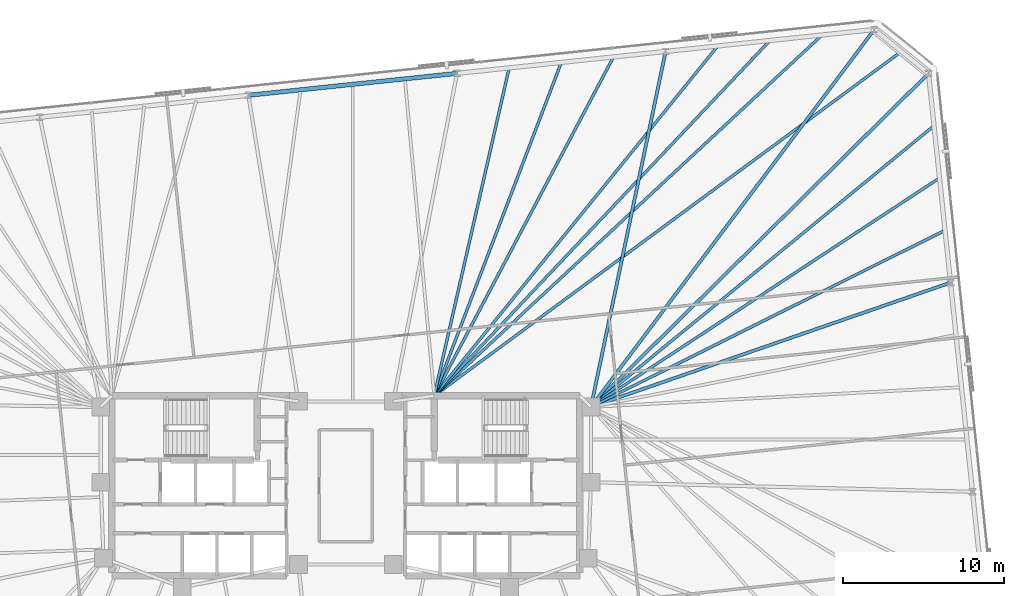
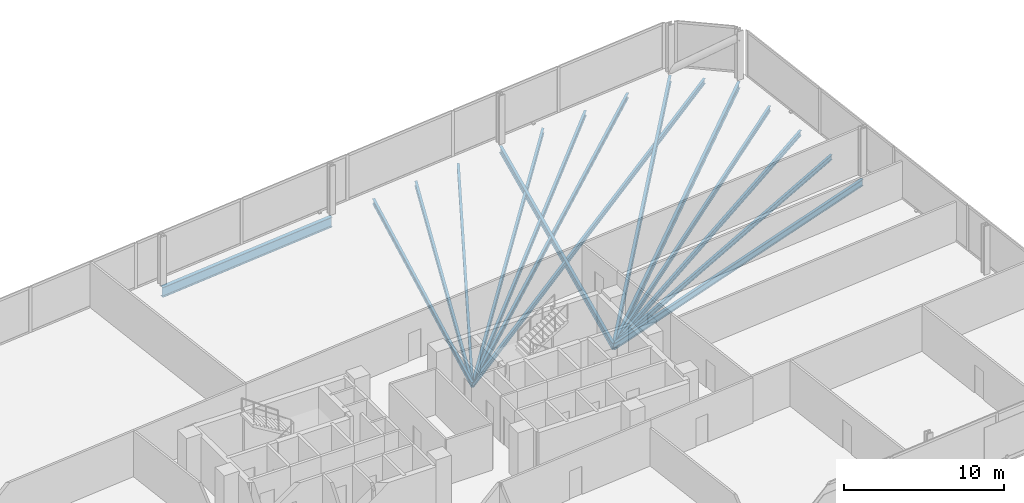
# One storey, part 10 of 18: 15 beams.
"""IFC4 building model written with IfcOpenShell, lengths in metres."""

from ifc_helpers import new_model, si_unit, direction, frame, origin, origin_2d, place, context, subcontext, project, spatial, i_section, extrude, material, material_profile, profile_set, type_object, element, save


model = new_model("IFC4")

# Units and contexts
model_context = context("Model", 3, precision=1e-05, world=origin(), true_north=direction((0.0, 1.0)))
body_context = subcontext(model_context, "Body", "Model", "MODEL_VIEW")
ifc_project = project(units=[si_unit("LENGTHUNIT", "METRE"), si_unit("AREAUNIT", "SQUARE_METRE"), si_unit("VOLUMEUNIT", "CUBIC_METRE"), si_unit("PLANEANGLEUNIT", "RADIAN"), si_unit("MASSUNIT", "GRAM", prefix="KILO")], contexts=[model_context])

# Site, building, storey
site_placement = place(None, origin())
site = spatial("IfcSite", under=ifc_project, at=site_placement, CompositionType="ELEMENT")
building_placement = place(site_placement, origin())
building = spatial("IfcBuilding", under=site, at=building_placement, Name="Menara Jurai Vektor", CompositionType="ELEMENT")
storey_placement = place(building_placement, frame((0.0, 0.0, 102.199951171875)))
storey = spatial("IfcBuildingStorey", under=building, at=storey_placement, Name="L25", CompositionType="ELEMENT", Elevation=102.199951171875)

# Beams
ifc_material_1 = material(Name="Steel S355", Category="steel")
ifc_material_profile_1 = material_profile(ifc_material_1, i_section(OverallWidth=0.199951171875, OverallDepth=0.5, WebThickness=0.011962890625, FlangeThickness=0.02001953125, at=origin_2d()), Name="PG 500x200x96")
ifc_profile_set_1 = profile_set([ifc_material_profile_1], Name="Steel S355")
beam_type_1 = type_object("IfcBeamType", Name="STR-BM-500", PredefinedType="BEAM", material=ifc_profile_set_1)
beam_1_placement = place(storey_placement, frame((37.62060546875, 12.638427734375, -0.474853515625), z_axis=(-0.945053249867, -0.326916434148, 0.0), x_axis=(0.326916434148, -0.945053249867, 0.0)))
element("IfcBeam", 1, at=beam_1_placement, inside=storey, type_object=beam_type_1, Name="Radial Floor Girder L25-E3", PredefinedType="BEAM", context=body_context, shape_type="SweptSolid", body=[
    extrude(i_section(OverallWidth=0.199951171875, OverallDepth=0.5, WebThickness=0.011962890625, FlangeThickness=0.02001953125, at=origin_2d()), origin(), (0.0, 0.0, 1.0), 23.671142578125),
])
beam_2_placement = place(storey_placement, frame((36.252685546875, 25.652099609375, -0.474853515625), z_axis=(-0.711335927547, -0.702852188004, 0.0), x_axis=(0.702852188004, -0.711335927547, 0.0)))
element("IfcBeam", 2, at=beam_2_placement, inside=storey, type_object=beam_type_1, Name="Radial Floor Girder L25-E4", PredefinedType="BEAM", context=body_context, shape_type="SweptSolid", body=[
    extrude(i_section(OverallWidth=0.199951171875, OverallDepth=0.5, WebThickness=0.011962890625, FlangeThickness=0.02001953125, at=origin_2d()), origin(), (0.0, 0.0, 1.0), 29.525634765625),
])
beam_3_placement = place(storey_placement, frame((32.876220703125, 28.38623046875, -0.474853515625), z_axis=(-0.600250057552, -0.799812395758, 0.0), x_axis=(0.799812395758, -0.600250057552, 0.0)))
element("IfcBeam", 3, at=beam_3_placement, inside=storey, type_object=beam_type_1, Name="Radial Floor Girder L25-N1", PredefinedType="BEAM", context=body_context, shape_type="SweptSolid", body=[
    extrude(i_section(OverallWidth=0.199951171875, OverallDepth=0.5, WebThickness=0.011962890625, FlangeThickness=0.02001953125, at=origin_2d()), origin(), (0.0, 0.0, 1.0), 29.36474609375),
])
beam_4_placement = place(storey_placement, frame((19.896728515625, 27.02197265625, -0.474853515625), z_axis=(-0.205563576063, -0.978643763683, 0.0), x_axis=(0.978643763683, -0.205563576063, 0.0)))
element("IfcBeam", 4, at=beam_4_placement, inside=storey, type_object=beam_type_1, Name="Radial Floor Girder L25-N2", PredefinedType="BEAM", context=body_context, shape_type="SweptSolid", body=[
    extrude(i_section(OverallWidth=0.199951171875, OverallDepth=0.5, WebThickness=0.011962890625, FlangeThickness=0.02001953125, at=origin_2d()), origin(), (0.0, 0.0, 1.0), 22.604736328125),
])
ifc_material_profile_2 = material_profile(ifc_material_1, i_section(OverallWidth=0.175048828125, OverallDepth=0.3798828125, WebThickness=0.010009765625, FlangeThickness=0.014892578125, at=origin_2d()), Name="PG 380x175x58")
ifc_profile_set_2 = profile_set([ifc_material_profile_2], Name="Steel S355")
beam_type_2 = type_object("IfcBeamType", Name="STR-JS-380", PredefinedType="JOIST", material=ifc_profile_set_2)
beam_5_placement = place(storey_placement, frame((37.278564453125, 15.891845703125, -0.4150390625), z_axis=(-0.894789854106, -0.446487532849, 0.0), x_axis=(0.446487532849, -0.894789854106, 0.0)))
element("IfcBeam", 5, at=beam_5_placement, inside=storey, type_object=beam_type_2, Name="Radial Secondary Floor Joist L25-JS16", PredefinedType="JOIST", context=body_context, shape_type="SweptSolid", body=[
    extrude(i_section(OverallWidth=0.175048828125, OverallDepth=0.3798828125, WebThickness=0.010009765625, FlangeThickness=0.014892578125, at=origin_2d()), origin(), (0.0, 0.0, 1.0), 24.61865234375),
])
beam_6_placement = place(storey_placement, frame((36.936767578125, 19.145263671875, -0.4150390625), z_axis=(-0.835810585743, -0.549017909326, 0.0), x_axis=(0.549017909326, -0.835810585743, 0.0)))
element("IfcBeam", 6, at=beam_6_placement, inside=storey, type_object=beam_type_2, Name="Radial Secondary Floor Joist L25-JS17", PredefinedType="JOIST", context=body_context, shape_type="SweptSolid", body=[
    extrude(i_section(OverallWidth=0.175048828125, OverallDepth=0.3798828125, WebThickness=0.010009765625, FlangeThickness=0.014892578125, at=origin_2d()), origin(), (0.0, 0.0, 1.0), 25.947021484375),
])
beam_7_placement = place(storey_placement, frame((36.5947265625, 22.398681640625, -0.4150390625), z_axis=(-0.773337004811, -0.63399517111, 0.0), x_axis=(0.63399517111, -0.773337004811, 0.0)))
element("IfcBeam", 7, at=beam_7_placement, inside=storey, type_object=beam_type_2, Name="Radial Secondary Floor Joist L25-JS18", PredefinedType="JOIST", context=body_context, shape_type="SweptSolid", body=[
    extrude(i_section(OverallWidth=0.175048828125, OverallDepth=0.3798828125, WebThickness=0.010009765625, FlangeThickness=0.014892578125, at=origin_2d()), origin(), (0.0, 0.0, 1.0), 27.600830078125),
])
beam_8_placement = place(storey_placement, frame((34.564453125, 27.01904296875, -0.4150390625), z_axis=(-0.805015724179, -0.593253473504, 0.0), x_axis=(0.593253473504, -0.805015724179, 0.0)))
element("IfcBeam", 8, at=beam_8_placement, inside=storey, type_object=beam_type_2, Name="Radial Secondary Floor Joist L25-JS19", PredefinedType="JOIST", context=body_context, shape_type="SweptSolid", body=[
    extrude(i_section(OverallWidth=0.175048828125, OverallDepth=0.3798828125, WebThickness=0.010009765625, FlangeThickness=0.014892578125, at=origin_2d()), origin(), (0.0, 0.0, 1.0), 36.104248046875),
])
beam_9_placement = place(storey_placement, frame((29.63134765625, 28.045166015625, -0.4150390625), z_axis=(-0.732227546694, -0.681060070671, 0.0), x_axis=(0.681060070671, -0.732227546694, 0.0)))
element("IfcBeam", 9, at=beam_9_placement, inside=storey, type_object=beam_type_2, Name="Radial Secondary Floor Joist L25-JS20", PredefinedType="JOIST", context=body_context, shape_type="SweptSolid", body=[
    extrude(i_section(OverallWidth=0.175048828125, OverallDepth=0.3798828125, WebThickness=0.010009765625, FlangeThickness=0.014892578125, at=origin_2d()), origin(), (0.0, 0.0, 1.0), 32.9560546875),
])
beam_10_placement = place(storey_placement, frame((26.386474609375, 27.7041015625, -0.4150390625), z_axis=(-0.686805497462, -0.726841254096, 0.0), x_axis=(0.726841254096, -0.686805497462, 0.0)))
element("IfcBeam", 10, at=beam_10_placement, inside=storey, type_object=beam_type_2, Name="Radial Secondary Floor Joist L25-JS21", PredefinedType="JOIST", context=body_context, shape_type="SweptSolid", body=[
    extrude(i_section(OverallWidth=0.175048828125, OverallDepth=0.3798828125, WebThickness=0.010009765625, FlangeThickness=0.014892578125, at=origin_2d()), origin(), (0.0, 0.0, 1.0), 30.4111328125),
])
beam_11_placement = place(storey_placement, frame((23.1416015625, 27.363037109375, -0.4150390625), z_axis=(-0.629715269624, -0.776826028917, 0.0), x_axis=(0.776826028917, -0.629715269624, 0.0)))
element("IfcBeam", 11, at=beam_11_placement, inside=storey, type_object=beam_type_2, Name="Radial Secondary Floor Joist L25-JS22", PredefinedType="JOIST", context=body_context, shape_type="SweptSolid", body=[
    extrude(i_section(OverallWidth=0.175048828125, OverallDepth=0.3798828125, WebThickness=0.010009765625, FlangeThickness=0.014892578125, at=origin_2d()), origin(), (0.0, 0.0, 1.0), 28.01513671875),
])
beam_12_placement = place(storey_placement, frame((16.651611328125, 26.680908203125, -0.4150390625), z_axis=(-0.467598899237, -0.883940761268, 0.0), x_axis=(0.883940761268, -0.467598899237, 0.0)))
element("IfcBeam", 12, at=beam_12_placement, inside=storey, type_object=beam_type_2, Name="Radial Secondary Floor Joist L25-JS23", PredefinedType="JOIST", context=body_context, shape_type="SweptSolid", body=[
    extrude(i_section(OverallWidth=0.175048828125, OverallDepth=0.3798828125, WebThickness=0.010009765625, FlangeThickness=0.014892578125, at=origin_2d()), origin(), (0.0, 0.0, 1.0), 23.8486328125),
])
beam_13_placement = place(storey_placement, frame((13.40673828125, 26.33984375, -0.4150390625), z_axis=(-0.3562267616, -0.934399536772, 0.0), x_axis=(0.934399536772, -0.3562267616, 0.0)))
element("IfcBeam", 13, at=beam_13_placement, inside=storey, type_object=beam_type_2, Name="Radial Secondary Floor Joist L25-JS24", PredefinedType="JOIST", context=body_context, shape_type="SweptSolid", body=[
    extrude(i_section(OverallWidth=0.175048828125, OverallDepth=0.3798828125, WebThickness=0.010009765625, FlangeThickness=0.014892578125, at=origin_2d()), origin(), (0.0, 0.0, 1.0), 22.19580078125),
])
beam_14_placement = place(storey_placement, frame((10.161865234375, 25.998779296875, -0.4150390625), z_axis=(-0.222793437271, -0.974865675008, 0.0), x_axis=(0.974865675008, -0.222793437271, 0.0)))
element("IfcBeam", 14, at=beam_14_placement, inside=storey, type_object=beam_type_2, Name="Radial Secondary Floor Joist L25-JS25", PredefinedType="JOIST", context=body_context, shape_type="SweptSolid", body=[
    extrude(i_section(OverallWidth=0.175048828125, OverallDepth=0.3798828125, WebThickness=0.010009765625, FlangeThickness=0.014892578125, at=origin_2d()), origin(), (0.0, 0.0, 1.0), 20.924560546875),
])
ifc_material_2 = material(Name="Steel S460", Category="steel")
ifc_material_profile_3 = material_profile(ifc_material_2, i_section(OverallWidth=0.26806640625, OverallDepth=0.77001953125, WebThickness=0.01611328125, FlangeThickness=0.02490234375, FilletRadius=0.01708984375, at=origin_2d()), Name="UKB 762x267x197")
ifc_profile_set_3 = profile_set([ifc_material_profile_3], Name="Steel S460")
beam_type_3 = type_object("IfcBeamType", Name="STR-SP-762", PredefinedType="SPANDREL", material=ifc_profile_set_3)
beam_15_placement = place(storey_placement, frame((6.9169921875, 25.65771484375, -0.60986328125), z_axis=(-0.994521431679, -0.104532874882, 0.0), x_axis=(0.104532874882, -0.994521431679, 0.0)))
element("IfcBeam", 15, at=beam_15_placement, inside=storey, type_object=beam_type_3, Name="Exoskeleton Spandrel Beam L25-13", PredefinedType="SPANDREL", context=body_context, shape_type="SweptSolid", body=[
    extrude(i_section(OverallWidth=0.26806640625, OverallDepth=0.77001953125, WebThickness=0.01611328125, FlangeThickness=0.02490234375, FilletRadius=0.01708984375, at=origin_2d()), origin(), (0.0, 0.0, 1.0), 13.051025390625),
])

save(model, "model.ifc")
